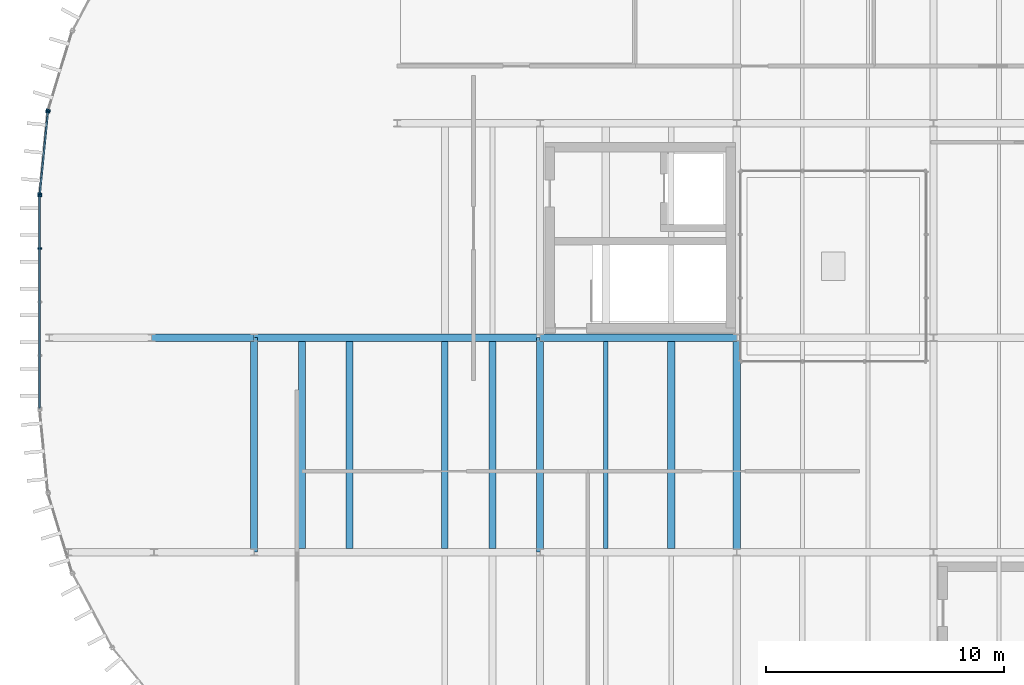
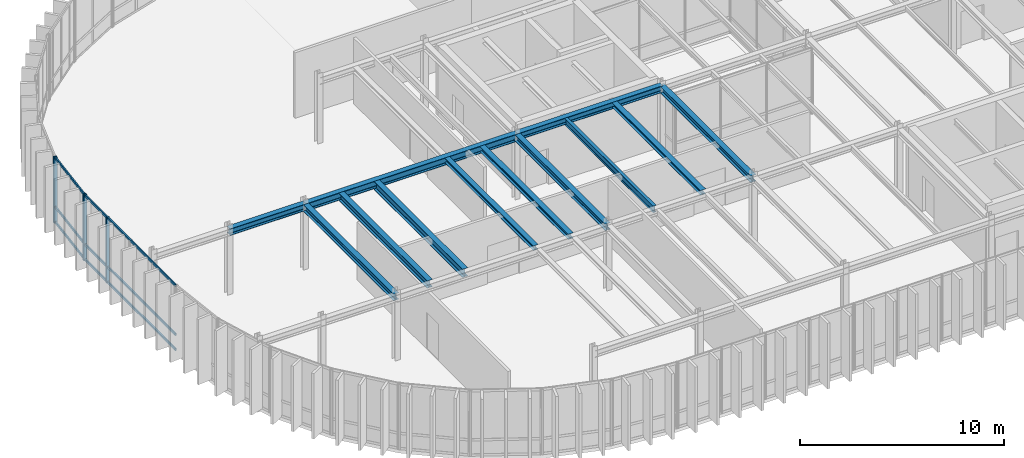
# One storey, part 8 of 21: 12 beams, 11 members, 3 elements without a shape of their own.
"""IFC4 building model written with IfcOpenShell, lengths in metres."""

from ifc_helpers import new_model, si_unit, direction, frame, origin, origin_2d, place, context, subcontext, project, spatial, rectangle, i_section, extrude, material, layer, layer_set, material_profile, profile_set, type_object, element, aggregate, save


model = new_model("IFC4")

# Units and contexts
model_context = context("Model", 3, precision=1e-05, world=origin(), true_north=direction((0.0, 1.0)))
body_context = subcontext(model_context, "Body", "Model", "MODEL_VIEW")
ifc_project = project(units=[si_unit("LENGTHUNIT", "METRE"), si_unit("AREAUNIT", "SQUARE_METRE"), si_unit("VOLUMEUNIT", "CUBIC_METRE"), si_unit("PLANEANGLEUNIT", "RADIAN"), si_unit("MASSUNIT", "GRAM", prefix="KILO")], contexts=[model_context])

# Site, building, storey
site_placement = place(None, origin())
site = spatial("IfcSite", under=ifc_project, at=site_placement, CompositionType="ELEMENT")
building_placement = place(site_placement, origin())
building = spatial("IfcBuilding", under=site, at=building_placement, Name="Montealbar Specialist Clinic", CompositionType="ELEMENT")
storey_placement = place(building_placement, frame((0.0, 0.0, 26.39990234375)))
storey = spatial("IfcBuildingStorey", under=building, at=storey_placement, Name="L06", CompositionType="ELEMENT", Elevation=26.39990234375)

# Beams
ifc_material_1 = material(Name="Steel S355", Category="steel")
ifc_material_profile_1 = material_profile(ifc_material_1, i_section(OverallWidth=0.300048828125, OverallDepth=0.39990234375, WebThickness=0.013427734375, FlangeThickness=0.02392578125, FilletRadius=0.027099609375, at=origin_2d()), Name="HEB 400", Category="steel")
ifc_profile_set_1 = profile_set([ifc_material_profile_1], Name="Steel S355")
beam_type_1 = type_object("IfcBeamType", Name="BM-GIRD-HEB400-EXT", PredefinedType="BEAM", material=ifc_profile_set_1)
beam_1_placement = place(storey_placement, frame((49.699951171875, 27.0, 3.72998046875), z_axis=(1.0, 0.0, 0.0), x_axis=(0.0, 1.0, 0.0)))
element("IfcBeam", 1, at=beam_1_placement, inside=storey, type_object=beam_type_1, Name="Beam GX-L06-497-540-270", PredefinedType="BEAM", context=body_context, shape_type="SweptSolid", body=[
    extrude(i_section(OverallWidth=0.300048828125, OverallDepth=0.39990234375, WebThickness=0.013427734375, FlangeThickness=0.02392578125, FilletRadius=0.027099609375, at=origin_2d()), origin(), (0.0, 0.0, 1.0), 4.300048828125),
])
beam_2_placement = place(storey_placement, frame((66.0, 27.0, 3.72998046875), z_axis=(1.0, 0.0, 0.0), x_axis=(0.0, 1.0, 0.0)))
element("IfcBeam", 2, at=beam_2_placement, inside=storey, type_object=beam_type_1, Name="Beam GX-L06-660-742-270", PredefinedType="BEAM", context=body_context, shape_type="SweptSolid", body=[
    extrude(i_section(OverallWidth=0.300048828125, OverallDepth=0.39990234375, WebThickness=0.013427734375, FlangeThickness=0.02392578125, FilletRadius=0.027099609375, at=origin_2d()), origin(), (0.0, 0.0, 1.0), 8.25),
])
for number, where, z_axis, x_axis, name in (
    (3, (54.0, 18.0, 3.72998046875), (0.0, 1.0, 0.0), (-1.0, 0.0, 0.0), "Beam GY-L06-540-180-270"),
    (4, (66.0, 18.0, 3.72998046875), (0.0, 1.0, 0.0), (-1.0, 0.0, 0.0), "Beam GY-L06-660-180-270"),
    (5, (74.25, 18.0, 3.72998046875), (0.0, 1.0, 0.0), (-1.0, 0.0, 0.0), "Beam GY-L06-742-180-270"),
):
    element("IfcBeam", number, at=place(storey_placement, frame(where, z_axis=z_axis, x_axis=x_axis)), inside=storey, type_object=beam_type_1, Name=name, PredefinedType="BEAM", context=body_context, shape_type="SweptSolid", body=[
        extrude(i_section(OverallWidth=0.300048828125, OverallDepth=0.39990234375, WebThickness=0.013427734375, FlangeThickness=0.02392578125, FilletRadius=0.027099609375, at=origin_2d()), origin(), (0.0, 0.0, 1.0), 9.0),
    ])
ifc_material_profile_2 = material_profile(ifc_material_1, i_section(OverallWidth=0.300048828125, OverallDepth=0.449951171875, WebThickness=0.013916015625, FlangeThickness=0.02587890625, FilletRadius=0.027099609375, at=origin_2d()), Name="HEB 450", Category="steel")
ifc_profile_set_2 = profile_set([ifc_material_profile_2], Name="Steel S355")
beam_type_2 = type_object("IfcBeamType", Name="BM-GIRD-HEB450-EXT", PredefinedType="BEAM", material=ifc_profile_set_2)
beam_3_placement = place(storey_placement, frame((54.0, 27.0, 3.705078125), z_axis=(1.0, 0.0, 0.0), x_axis=(0.0, 1.0, 0.0)))
element("IfcBeam", 6, at=beam_3_placement, inside=storey, type_object=beam_type_2, Name="Beam GX-L06-540-660-270", PredefinedType="BEAM", context=body_context, shape_type="SweptSolid", body=[
    extrude(i_section(OverallWidth=0.300048828125, OverallDepth=0.449951171875, WebThickness=0.013916015625, FlangeThickness=0.02587890625, FilletRadius=0.027099609375, at=origin_2d()), origin(), (0.0, 0.0, 1.0), 12.0),
])
ifc_material_profile_3 = material_profile(ifc_material_1, i_section(OverallWidth=0.300048828125, OverallDepth=0.43994140625, WebThickness=0.011474609375, FlangeThickness=0.02099609375, FilletRadius=0.027099609375, at=origin_2d()), Name="HEA 450", Category="steel")
ifc_profile_set_3 = profile_set([ifc_material_profile_3], Name="Steel S355")
beam_type_3 = type_object("IfcBeamType", Name="BM-JST-HEA450", PredefinedType="JOIST", material=ifc_profile_set_3)
beam_4_placement = place(storey_placement, frame((56.0, 18.14990234375, 3.710205078125), z_axis=(0.0, 1.0, 0.0), x_axis=(-1.0, 0.0, 0.0)))
element("IfcBeam", 7, at=beam_4_placement, inside=storey, type_object=beam_type_3, Name="Beam JST-L06-560-182-268", PredefinedType="JOIST", context=body_context, shape_type="SweptSolid", body=[
    extrude(i_section(OverallWidth=0.300048828125, OverallDepth=0.43994140625, WebThickness=0.011474609375, FlangeThickness=0.02099609375, FilletRadius=0.027099609375, at=origin_2d()), origin(), (0.0, 0.0, 1.0), 8.7001953125),
])
ifc_material_profile_4 = material_profile(ifc_material_1, i_section(OverallWidth=0.300048828125, OverallDepth=0.489990234375, WebThickness=0.011962890625, FlangeThickness=0.02294921875, FilletRadius=0.027099609375, at=origin_2d()), Name="HEA 500", Category="steel")
ifc_profile_set_4 = profile_set([ifc_material_profile_4], Name="Steel S355")
beam_type_4 = type_object("IfcBeamType", Name="BM-JST-HEA500", PredefinedType="JOIST", material=ifc_profile_set_4)
beam_5_placement = place(storey_placement, frame((58.0, 18.14990234375, 3.68505859375), z_axis=(0.0, 1.0, 0.0), x_axis=(-1.0, 0.0, 0.0)))
element("IfcBeam", 8, at=beam_5_placement, inside=storey, type_object=beam_type_4, Name="Beam JST-L06-580-182-268", PredefinedType="JOIST", context=body_context, shape_type="SweptSolid", body=[
    extrude(i_section(OverallWidth=0.300048828125, OverallDepth=0.489990234375, WebThickness=0.011962890625, FlangeThickness=0.02294921875, FilletRadius=0.027099609375, at=origin_2d()), origin(), (0.0, 0.0, 1.0), 8.7001953125),
])
ifc_material_profile_5 = material_profile(ifc_material_1, i_section(OverallWidth=0.280029296875, OverallDepth=0.280029296875, WebThickness=0.010498046875, FlangeThickness=0.01806640625, FilletRadius=0.02392578125, at=origin_2d()), Name="HEB 280", Category="steel")
ifc_profile_set_5 = profile_set([ifc_material_profile_5], Name="Steel S355")
beam_type_5 = type_object("IfcBeamType", Name="BM-JST-HEB280", PredefinedType="JOIST", material=ifc_profile_set_5)
beam_6_placement = place(storey_placement, frame((62.0, 18.14990234375, 3.7900390625), z_axis=(0.0, 1.0, 0.0), x_axis=(-1.0, 0.0, 0.0)))
element("IfcBeam", 9, at=beam_6_placement, inside=storey, type_object=beam_type_5, Name="Beam JST-L06-620-182-268", PredefinedType="JOIST", context=body_context, shape_type="SweptSolid", body=[
    extrude(i_section(OverallWidth=0.280029296875, OverallDepth=0.280029296875, WebThickness=0.010498046875, FlangeThickness=0.01806640625, FilletRadius=0.02392578125, at=origin_2d()), origin(), (0.0, 0.0, 1.0), 8.7001953125),
])
ifc_material_profile_6 = material_profile(ifc_material_1, i_section(OverallWidth=0.300048828125, OverallDepth=0.320068359375, WebThickness=0.011474609375, FlangeThickness=0.0205078125, FilletRadius=0.027099609375, at=origin_2d()), Name="HEB 320", Category="steel")
ifc_profile_set_6 = profile_set([ifc_material_profile_6], Name="Steel S355")
beam_type_6 = type_object("IfcBeamType", Name="BM-JST-HEB320", PredefinedType="JOIST", material=ifc_profile_set_6)
beam_7_placement = place(storey_placement, frame((64.0, 18.14990234375, 3.77001953125), z_axis=(0.0, 1.0, 0.0), x_axis=(-1.0, 0.0, 0.0)))
element("IfcBeam", 10, at=beam_7_placement, inside=storey, type_object=beam_type_6, Name="Beam JST-L06-640-182-268", PredefinedType="JOIST", context=body_context, shape_type="SweptSolid", body=[
    extrude(i_section(OverallWidth=0.300048828125, OverallDepth=0.320068359375, WebThickness=0.011474609375, FlangeThickness=0.0205078125, FilletRadius=0.027099609375, at=origin_2d()), origin(), (0.0, 0.0, 1.0), 8.7001953125),
])
ifc_material_profile_7 = material_profile(ifc_material_1, i_section(OverallWidth=0.179931640625, OverallDepth=0.39990234375, WebThickness=0.008544921875, FlangeThickness=0.013427734375, FilletRadius=0.02099609375, at=origin_2d()), Name="IPE 400", Category="steel")
ifc_profile_set_7 = profile_set([ifc_material_profile_7], Name="Steel S355")
beam_type_7 = type_object("IfcBeamType", Name="BM-SEC-IPE400", PredefinedType="BEAM", material=ifc_profile_set_7)
beam_8_placement = place(storey_placement, frame((68.75, 18.14990234375, 3.72998046875), z_axis=(0.0, 1.0, 0.0), x_axis=(-1.0, 0.0, 0.0)))
element("IfcBeam", 11, at=beam_8_placement, inside=storey, type_object=beam_type_7, Name="Beam JST-L06-688-182-268", PredefinedType="BEAM", context=body_context, shape_type="SweptSolid", body=[
    extrude(i_section(OverallWidth=0.179931640625, OverallDepth=0.39990234375, WebThickness=0.008544921875, FlangeThickness=0.013427734375, FilletRadius=0.02099609375, at=origin_2d()), origin(), (0.0, 0.0, 1.0), 8.7001953125),
])
ifc_material_profile_8 = material_profile(ifc_material_1, i_section(OverallWidth=0.300048828125, OverallDepth=0.2900390625, WebThickness=0.008544921875, FlangeThickness=0.013916015625, FilletRadius=0.027099609375, at=origin_2d()), Name="HEA 300", Category="steel")
ifc_profile_set_8 = profile_set([ifc_material_profile_8], Name="Steel S355")
beam_type_8 = type_object("IfcBeamType", Name="BM-SPAND-HEA300", PredefinedType="SPANDREL", material=ifc_profile_set_8)
beam_9_placement = place(storey_placement, frame((71.5, 18.14990234375, 3.78515625), z_axis=(0.0, 1.0, 0.0), x_axis=(-1.0, 0.0, 0.0)))
element("IfcBeam", 12, at=beam_9_placement, inside=storey, type_object=beam_type_8, Name="Beam JST-L06-715-182-268", PredefinedType="SPANDREL", context=body_context, shape_type="SweptSolid", body=[
    extrude(i_section(OverallWidth=0.300048828125, OverallDepth=0.2900390625, WebThickness=0.008544921875, FlangeThickness=0.013916015625, FilletRadius=0.027099609375, at=origin_2d()), origin(), (0.0, 0.0, 1.0), 8.7001953125),
])

# Curtain wall, members
ifc_material_2 = material(Name="Low-E double glazing", Category="glass")
ifc_layer_1 = layer(ifc_material_2, 0.199951171875, Name="Low-E double glazing", Category="glass")
ifc_layer_set_1 = layer_set([ifc_layer_1], Name="Low-E double glazing")
curtain_wall_type_1 = type_object("IfcCurtainWallType", Name="CW-TYPE-42", PredefinedType="NOTDEFINED", material=ifc_layer_set_1)
curtain_wall_1_placement = place(storey_placement, origin())
curtain_wall_1 = element("IfcCurtainWall", 13, at=curtain_wall_1_placement, inside=storey, type_object=curtain_wall_type_1, Name="Unitised Curtain Wall CW-L06-450-240-450-330-264", PredefinedType="NOTDEFINED")
ifc_material_3 = material(Name="Anodised aluminium EN AW-6063", Category="aluminium")
ifc_material_profile_9 = material_profile(ifc_material_3, rectangle(XDim=0.070068359375, YDim=0.179931640625, at=origin_2d()), Name="ALU 70x180", Category="aluminium")
ifc_profile_set_9 = profile_set([ifc_material_profile_9], Name="Anodised aluminium EN AW-6063")
member_type_1 = type_object("IfcMemberType", Name="CW-MUL-200", PredefinedType="MULLION", material=ifc_profile_set_9)
member_1_placement = place(storey_placement, frame((45.0, 30.75, 0.0), z_axis=(0.0, 0.0, 1.0), x_axis=(0.0, 1.0, 0.0)))
member_1 = element("IfcMember", 14, at=member_1_placement, type_object=member_type_1, Name="Curtain Wall Mullion CW-L06-450-240-450-330-264-03", PredefinedType="MULLION", context=body_context, shape_type="SweptSolid", body=[
    extrude(rectangle(XDim=0.070068359375, YDim=0.179931640625, at=origin_2d()), origin(), (0.0, 0.0, 1.0), 3.93017578125),
])
member_2_placement = place(storey_placement, frame((45.0, 32.9599609375, 0.0), z_axis=(0.0, 0.0, 1.0), x_axis=(0.0, 1.0, 0.0)))
member_2 = element("IfcMember", 15, at=member_2_placement, type_object=member_type_1, Name="Curtain Wall Mullion CW-L06-450-240-450-330-264-04", PredefinedType="MULLION", context=body_context, shape_type="SweptSolid", body=[
    extrude(rectangle(XDim=0.070068359375, YDim=0.179931640625, at=origin_2d()), origin(), (0.0, 0.0, 1.0), 3.93017578125),
])

ifc_layer_2 = layer(ifc_material_2, 0.199951171875, Name="Low-E double glazing", Category="glass")
ifc_layer_set_2 = layer_set([ifc_layer_2], Name="Low-E double glazing")
curtain_wall_type_2 = type_object("IfcCurtainWallType", Name="CW-TYPE-12", PredefinedType="NOTDEFINED", material=ifc_layer_set_2)
curtain_wall_2_placement = place(storey_placement, origin())
curtain_wall_2 = element("IfcCurtainWall", 16, at=curtain_wall_2_placement, inside=storey, type_object=curtain_wall_type_2, Name="Unitised Curtain Wall CW-L06-450-330-453-365-264", PredefinedType="NOTDEFINED")
member_3_placement = place(storey_placement, frame((45.00390625, 33.0400390625, 0.0), z_axis=(0.0, 0.0, 1.0), x_axis=(0.098044697094, 0.995182012183, 0.0)))
member_3 = element("IfcMember", 17, at=member_3_placement, type_object=member_type_1, Name="Curtain Wall Mullion CW-L06-450-330-453-365-264-00", PredefinedType="MULLION", context=body_context, shape_type="SweptSolid", body=[
    extrude(rectangle(XDim=0.070068359375, YDim=0.179931640625, at=origin_2d()), origin(), (0.0, 0.0, 1.0), 3.93017578125),
])
member_4_placement = place(storey_placement, frame((45.342041015625, 36.471923828125, 0.0), z_axis=(0.0, 0.0, 1.0), x_axis=(0.098044697094, 0.995182012183, 0.0)))
member_4 = element("IfcMember", 18, at=member_4_placement, type_object=member_type_1, Name="Curtain Wall Mullion CW-L06-450-330-453-365-264-01", PredefinedType="MULLION", context=body_context, shape_type="SweptSolid", body=[
    extrude(rectangle(XDim=0.070068359375, YDim=0.179931640625, at=origin_2d()), origin(), (0.0, 0.0, 1.0), 3.93017578125),
])

# Curtain wall, member
curtain_wall_3_placement = place(storey_placement, origin())
curtain_wall_3 = element("IfcCurtainWall", 19, at=curtain_wall_3_placement, inside=storey, type_object=curtain_wall_type_2, Name="Unitised Curtain Wall CW-L06-453-365-464-399-264", PredefinedType="NOTDEFINED")
member_5_placement = place(storey_placement, frame((45.35791015625, 36.550048828125, 0.0), z_axis=(0.0, 0.0, 1.0), x_axis=(0.290259134399, 0.956948083701, 0.0)))
member_5 = element("IfcMember", 20, at=member_5_placement, type_object=member_type_1, Name="Curtain Wall Mullion CW-L06-453-365-464-399-264-00", PredefinedType="MULLION", context=body_context, shape_type="SweptSolid", body=[
    extrude(rectangle(XDim=0.070068359375, YDim=0.179931640625, at=origin_2d()), origin(), (0.0, 0.0, 1.0), 3.93017578125),
])
aggregate(curtain_wall_3, [member_5])

# Member
ifc_material_4 = material(Name="Powder-coated aluminium", Category="aluminium")
ifc_material_profile_10 = material_profile(ifc_material_4, rectangle(XDim=0.070068359375, YDim=0.139892578125, at=origin_2d()), Name="ALU 70x140", Category="aluminium")
ifc_profile_set_10 = profile_set([ifc_material_profile_10], Name="Powder-coated aluminium")
member_type_2 = type_object("IfcMemberType", Name="CW-TRN-140", PredefinedType="USERDEFINED", material=ifc_profile_set_10)
member_6_placement = place(storey_placement, frame((45.0, 24.050048828125, 0.0400390625), z_axis=(0.0, 1.0, 0.0), x_axis=(-1.0, 0.0, 0.0)))
member_6 = element("IfcMember", 21, at=member_6_placement, type_object=member_type_2, Name="Curtain Wall Transom CW-L06-450-240-450-330-264-00", ObjectType="TRANSOM", PredefinedType="USERDEFINED", context=body_context, shape_type="SweptSolid", body=[
    extrude(rectangle(XDim=0.070068359375, YDim=0.139892578125, at=origin_2d()), origin(), (0.0, 0.0, 1.0), 8.89990234375),
])

member_7_placement = place(storey_placement, frame((45.0, 24.050048828125, 0.9501953125), z_axis=(0.0, 1.0, 0.0), x_axis=(-1.0, 0.0, 0.0)))
member_7 = element("IfcMember", 22, at=member_7_placement, type_object=member_type_2, Name="Curtain Wall Transom CW-L06-450-240-450-330-264-01", ObjectType="TRANSOM", PredefinedType="USERDEFINED", context=body_context, shape_type="SweptSolid", body=[
    extrude(rectangle(XDim=0.070068359375, YDim=0.139892578125, at=origin_2d()), origin(), (0.0, 0.0, 1.0), 8.89990234375),
])

member_8_placement = place(storey_placement, frame((45.0, 24.050048828125, 3.89013671875), z_axis=(0.0, 1.0, 0.0), x_axis=(-1.0, 0.0, 0.0)))
member_8 = element("IfcMember", 23, at=member_8_placement, type_object=member_type_2, Name="Curtain Wall Transom CW-L06-450-240-450-330-264-02", ObjectType="TRANSOM", PredefinedType="USERDEFINED", context=body_context, shape_type="SweptSolid", body=[
    extrude(rectangle(XDim=0.070068359375, YDim=0.139892578125, at=origin_2d()), origin(), (0.0, 0.0, 1.0), 8.89990234375),
])

aggregate(curtain_wall_1, [member_1, member_2, member_6, member_7, member_8])

member_9_placement = place(storey_placement, frame((45.0048828125, 33.050048828125, 0.0400390625), z_axis=(0.098058232162, 0.995180678623, 0.0), x_axis=(-0.995180678623, 0.098058232162, 0.0)))
member_9 = element("IfcMember", 24, at=member_9_placement, type_object=member_type_2, Name="Curtain Wall Transom CW-L06-450-330-453-365-264-00", ObjectType="TRANSOM", PredefinedType="USERDEFINED", context=body_context, shape_type="SweptSolid", body=[
    extrude(rectangle(XDim=0.070068359375, YDim=0.139892578125, at=origin_2d()), origin(), (0.0, 0.0, 1.0), 3.428466796875),
])

member_10_placement = place(storey_placement, frame((45.0048828125, 33.050048828125, 0.9501953125), z_axis=(0.098058232162, 0.995180678623, 0.0), x_axis=(-0.995180678623, 0.098058232162, 0.0)))
member_10 = element("IfcMember", 25, at=member_10_placement, type_object=member_type_2, Name="Curtain Wall Transom CW-L06-450-330-453-365-264-01", ObjectType="TRANSOM", PredefinedType="USERDEFINED", context=body_context, shape_type="SweptSolid", body=[
    extrude(rectangle(XDim=0.070068359375, YDim=0.139892578125, at=origin_2d()), origin(), (0.0, 0.0, 1.0), 3.428466796875),
])

member_11_placement = place(storey_placement, frame((45.0048828125, 33.050048828125, 3.89013671875), z_axis=(0.098058232162, 0.995180678623, 0.0), x_axis=(-0.995180678623, 0.098058232162, 0.0)))
member_11 = element("IfcMember", 26, at=member_11_placement, type_object=member_type_2, Name="Curtain Wall Transom CW-L06-450-330-453-365-264-02", ObjectType="TRANSOM", PredefinedType="USERDEFINED", context=body_context, shape_type="SweptSolid", body=[
    extrude(rectangle(XDim=0.070068359375, YDim=0.139892578125, at=origin_2d()), origin(), (0.0, 0.0, 1.0), 3.428466796875),
])

aggregate(curtain_wall_2, [member_3, member_4, member_9, member_10, member_11])

save(model, "model.ifc")
